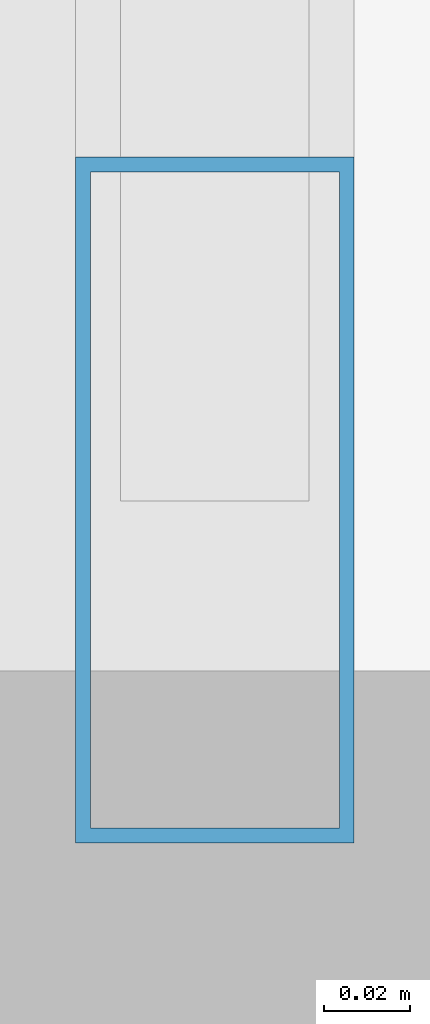
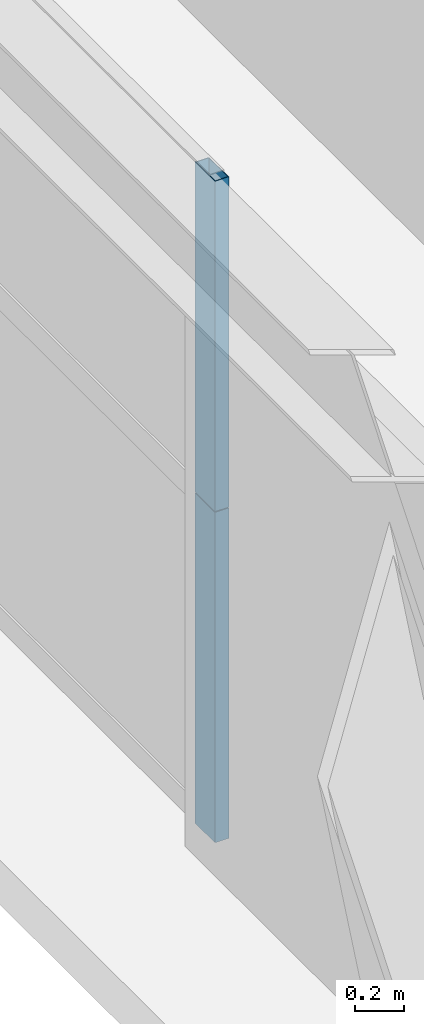
# One storey, part 5 of 35: 2 members, 1 element without a shape of its own.
"""IFC4 building model written with IfcOpenShell, lengths in metres."""

from ifc_helpers import new_model, si_unit, direction, frame, origin, origin_2d, place, context, subcontext, project, spatial, hollow_rectangle, extrude, source, transform, mapped, material, layer, layer_set, material_profile, profile_set, type_object, element, aggregate, save


model = new_model("IFC4")

# Units and contexts
model_context = context("Model", 3, precision=1e-05, world=origin(), true_north=direction((0.0, 1.0)))
body_context = subcontext(model_context, "Body", "Model", "MODEL_VIEW")
ifc_project = project(units=[si_unit("LENGTHUNIT", "METRE"), si_unit("AREAUNIT", "SQUARE_METRE"), si_unit("VOLUMEUNIT", "CUBIC_METRE"), si_unit("PLANEANGLEUNIT", "RADIAN"), si_unit("MASSUNIT", "GRAM", prefix="KILO"), si_unit("THERMODYNAMICTEMPERATUREUNIT", "KELVIN"), si_unit("POWERUNIT", "WATT")], contexts=[model_context])

# Site, building, storey
site_placement = place(None, origin())
site = spatial("IfcSite", under=ifc_project, at=site_placement, CompositionType="ELEMENT")
building_placement = place(site_placement, origin())
building = spatial("IfcBuilding", under=site, at=building_placement, Name="Yuzanri Waterfront Tower", CompositionType="ELEMENT")
storey_placement = place(building_placement, frame((0.0, 0.0, 248.60009765625)))
storey = spatial("IfcBuildingStorey", under=building, at=storey_placement, Name="L66", CompositionType="ELEMENT", Elevation=248.60009765625)

# Curtain wall, members
ifc_material_1 = material(Name="Anodized Architectural Bronze", Category="metal")
ifc_layer = layer(ifc_material_1, 0.159912109375)
ifc_layer_set = layer_set([ifc_layer], Name="Anodized Architectural Bronze")
curtain_wall_type = type_object("IfcCurtainWallType", Name="Anodized Bronze Mid-Rise Residential Acoustic Unitized Curtain Wall 7200", PredefinedType="NOTDEFINED", material=ifc_layer_set)
curtain_wall_placement = place(storey_placement, origin())
curtain_wall = element("IfcCurtainWall", 1, at=curtain_wall_placement, inside=storey, type_object=curtain_wall_type, Name="L66 Curtain Wall CW-L66-WL", PredefinedType="NOTDEFINED")
ifc_material_2 = material(Name="Anodized Architectural Bronze", Category="metal")
ifc_material_profile = material_profile(ifc_material_2, hollow_rectangle(XDim=0.06494140625, YDim=0.159912109375, WallThickness=0.00341796875, at=origin_2d()), Name="CWM 65x160")
ifc_profile_set = profile_set([ifc_material_profile], Name="Anodized Architectural Bronze")
member_type = type_object("IfcMemberType", Name="Anodized Bronze Upper-Zone Curtain-Wall Mullion 65x160", PredefinedType="MULLION", material=ifc_profile_set)
shared_shape = source(origin(), body_context, "Body", "SweptSolid", [
    extrude(hollow_rectangle(XDim=0.06494140625, YDim=0.159912109375, WallThickness=0.00341796875, at=origin_2d()), origin(), (0.0, 0.0, 1.0), 1.637939453125),
])
member_1_placement = place(storey_placement, frame((16.550048828125, 12.590087890625, 0.0), z_axis=(0.0, 0.0, 1.0), x_axis=(1.0, 0.0, 0.0)))
member_1 = element("IfcMember", 2, at=member_1_placement, type_object=member_type, Name="CW-L66-WL Lower Mullion 00", PredefinedType="MULLION", context=body_context, shape_type="MappedRepresentation", body=[
    mapped(shared_shape, transform((0.0, 0.0, 0.0), scale=1.0)),
])
member_2_placement = place(storey_placement, frame((16.550048828125, 12.590087890625, 1.641845703125), z_axis=(0.0, 0.0, 1.0), x_axis=(1.0, 0.0, 0.0)))
member_2 = element("IfcMember", 3, at=member_2_placement, type_object=member_type, Name="CW-L66-WL Upper Mullion 00", PredefinedType="MULLION", context=body_context, shape_type="MappedRepresentation", body=[
    mapped(shared_shape, transform((0.0, 0.0, 0.0), scale=1.0)),
])
aggregate(curtain_wall, [member_1, member_2])

save(model, "model.ifc")
